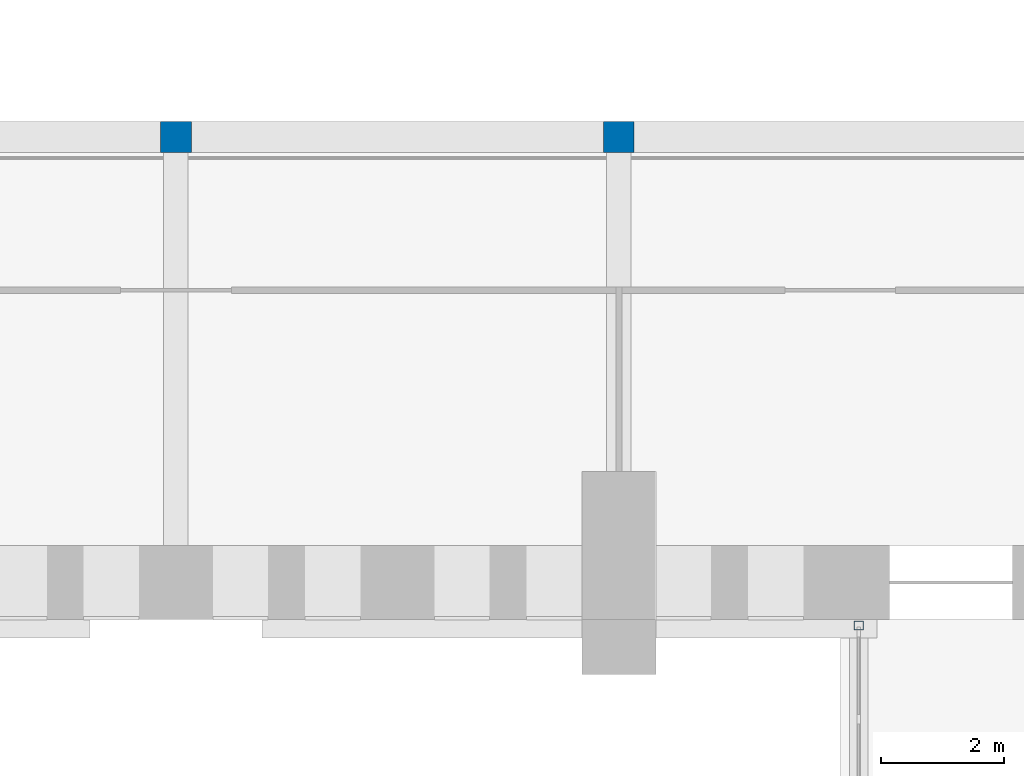
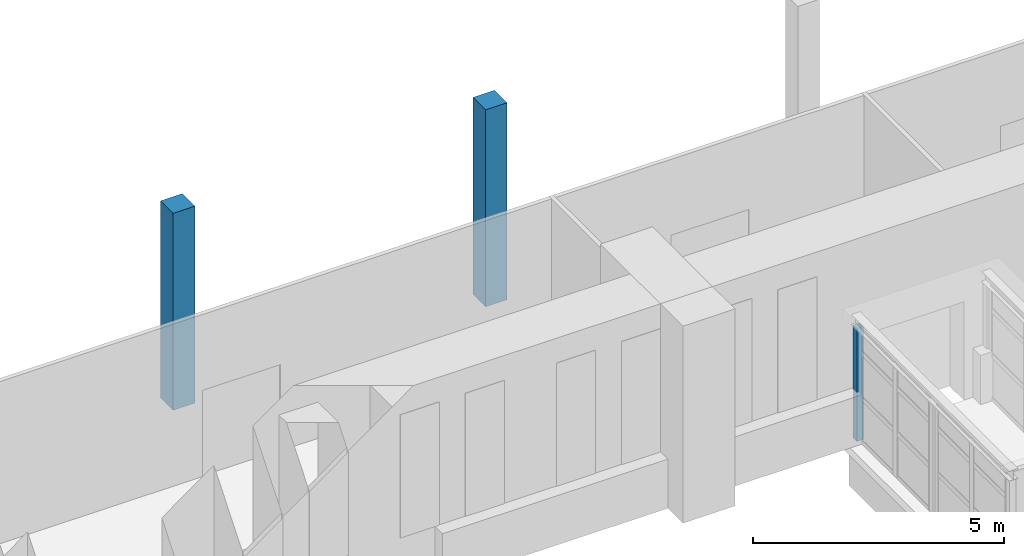
# One storey, part 10 of 131: 3 columns.
"""IFC4 building model written with IfcOpenShell, lengths in metres."""

import ifcopenshell
import ifcopenshell.guid

model = None  # the IFC model being written
_history = None  # IfcOwnerHistory: only IFC2X3 demands one
_inside = {}  # id of a spatial element -> (the spatial element, [elements in it])
_under = {}  # id of a project, library or spatial element -> (it, [spatial elements below it])
_declared = {}  # id of a project -> (the project, [libraries it declares])
_typed = {}  # id of a type object -> (the type object, [elements of that type])
_made_of = {}  # id of a material, layer set ... -> (it, [elements and type objects made of it])


def new_model(schema):
    """Start an empty IFC model of exactly this schema.

    Asked for "IFC4X3", IfcOpenShell would pick the latest addendum, in which some entities
    have other attributes; the version numbers below select the first issue.
    IFC2X3 requires an IfcOwnerHistory on every rooted entity: one is made here for all.
    """
    global model, _history
    if schema == "IFC4X3":
        model = ifcopenshell.file(schema_version=(4, 3, 0, 0))
    else:
        model = ifcopenshell.file(schema=schema)
    _inside.clear()
    _under.clear()
    _declared.clear()
    _typed.clear()
    _made_of.clear()
    _history = None
    if model.schema == "IFC2X3":
        org = make("IfcOrganization", Name="unknown")
        user = make(
            "IfcPersonAndOrganization",
            ThePerson=make("IfcPerson", FamilyName="unknown"),
            TheOrganization=org,
        )
        app = make(
            "IfcApplication",
            ApplicationDeveloper=org,
            Version="unknown",
            ApplicationFullName="unknown",
            ApplicationIdentifier="unknown",
        )
        _history = make(
            "IfcOwnerHistory",
            OwningUser=user,
            OwningApplication=app,
            ChangeAction="ADDED",
            CreationDate=0,
        )
    return model


def make(cls, **values):
    """One entity of the class cls with the attributes given. An attribute that is None is left unset."""
    return model.create_entity(
        cls, **{name: value for name, value in values.items() if value is not None}
    )


def rooted(cls, **values):
    """An entity with a GlobalId (a new one), such as an element, a storey or a relation."""
    return make(cls, GlobalId=ifcopenshell.guid.new(), OwnerHistory=_history, **values)


def si_unit(unit_type, name, prefix=None):
    """IfcSIUnit, for example si_unit("LENGTHUNIT", "METRE", prefix="MILLI")."""
    return make("IfcSIUnit", UnitType=unit_type, Prefix=prefix, Name=name)


def assignment(units):
    """IfcUnitAssignment: the units of a project."""
    return None if units is None else make("IfcUnitAssignment", Units=units)


def point(xyz):
    """IfcCartesianPoint."""
    return None if xyz is None else make("IfcCartesianPoint", Coordinates=xyz)


def direction(xyz):
    """IfcDirection."""
    return None if xyz is None else make("IfcDirection", DirectionRatios=xyz)


def frame(location, z_axis=None, x_axis=None):
    """IfcAxis2Placement3D, a coordinate frame: its origin and axes. An axis left out is left unset."""
    return make(
        "IfcAxis2Placement3D",
        Location=point(location),
        Axis=direction(z_axis),
        RefDirection=direction(x_axis),
    )


def frame_2d(location, x_axis=None):
    """IfcAxis2Placement2D, a coordinate frame in the plane: its origin and x axis."""
    return make(
        "IfcAxis2Placement2D", Location=point(location), RefDirection=direction(x_axis)
    )


def origin():
    """The frame at (0, 0, 0) with its axes left unset."""
    return frame((0.0, 0.0, 0.0))


def origin_2d():
    """The frame at (0, 0) in the plane with its x axis left unset."""
    return frame_2d((0.0, 0.0))


def place(relative_to, where):
    """IfcLocalPlacement: puts the frame where relative to a parent placement (None: the world)."""
    return make(
        "IfcLocalPlacement", PlacementRelTo=relative_to, RelativePlacement=where
    )


def context(
    kind, dimensions, precision=None, world=None, true_north=None, identifier=None
):
    """IfcGeometricRepresentationContext, for example the 3D "Model" context."""
    return make(
        "IfcGeometricRepresentationContext",
        ContextIdentifier=identifier,
        ContextType=kind,
        CoordinateSpaceDimension=dimensions,
        Precision=precision,
        WorldCoordinateSystem=world,
        TrueNorth=true_north,
    )


def subcontext(parent, identifier, kind, view, scale=None):
    """IfcGeometricRepresentationSubContext, for example "Body" below "Model"."""
    return make(
        "IfcGeometricRepresentationSubContext",
        ContextIdentifier=identifier,
        ContextType=kind,
        ParentContext=parent,
        TargetScale=scale,
        TargetView=view,
    )


def project(units=None, contexts=None):
    """IfcProject with its units and contexts."""
    return rooted(
        "IfcProject",
        Name="project",
        RepresentationContexts=contexts,
        UnitsInContext=assignment(units),
    )


def spatial(cls, under=None, at=None, **own):
    """A site, building, storey or space (cls), placed at a placement, below another one or the project."""
    s = rooted(cls, ObjectPlacement=at, **own)
    if under is not None:
        _under.setdefault(under.id(), (under, []))[1].append(s)
    return s


def profile(cls, at=None, kind="AREA", **sizes):
    """A parametric profile (cls). Its sizes go by their IFC names, for example OverallWidth=200.0."""
    return make(cls, ProfileType=kind, Position=at, **sizes)


def rectangle(**sizes):
    """IfcRectangleProfileDef."""
    return profile("IfcRectangleProfileDef", **sizes)


def hollow_rectangle(**sizes):
    """IfcRectangleHollowProfileDef."""
    return profile("IfcRectangleHollowProfileDef", **sizes)


def extrude(swept, where, along, depth):
    """IfcExtrudedAreaSolid: the profile swept, set in the frame where, extruded along a direction by depth."""
    return make(
        "IfcExtrudedAreaSolid",
        SweptArea=swept,
        Position=where,
        ExtrudedDirection=direction(along),
        Depth=depth,
    )


def shape(context_of_items, identifier, shape_type, items):
    """IfcShapeRepresentation: the items that make up one representation, for example the "Body"."""
    return make(
        "IfcShapeRepresentation",
        ContextOfItems=context_of_items,
        RepresentationIdentifier=identifier,
        RepresentationType=shape_type,
        Items=items,
    )


def material(Name=None, Category=None):
    """IfcMaterial."""
    return make("IfcMaterial", Name=Name, Category=Category)


def material_profile(
    of_material, cross_section, Name=None, Category=None, Priority=None
):
    """IfcMaterialProfile: a cross section and its material."""
    return make(
        "IfcMaterialProfile",
        Name=Name,
        Material=of_material,
        Profile=cross_section,
        Priority=Priority,
        Category=Category,
    )


def profile_set(profiles, Name=None, composite=None):
    """IfcMaterialProfileSet."""
    return make(
        "IfcMaterialProfileSet",
        Name=Name,
        MaterialProfiles=profiles,
        CompositeProfile=composite,
    )


def made_of(thing, what):
    """Note that an element or type object is made of a material, layer set ...; save() writes the relation."""
    if what is not None:
        _made_of.setdefault(what.id(), (what, []))[1].append(thing)
    return thing


def type_object(cls, material=None, **own):
    """A type object (cls), such as IfcWallType, which elements share."""
    return made_of(rooted(cls, **own), material)


def element(
    cls,
    number,
    at=None,
    inside=None,
    cuts=None,
    type_object=None,
    material=None,
    context=None,
    identifier="Body",
    shape_type=None,
    held_by="IfcProductDefinitionShape",
    body=None,
    shapes=None,
    **own,
):
    """One element of the class cls, such as IfcWall. Its Tag is "e" and its number.

    at: its placement. inside: the storey or other place that contains it. cuts: it is an
    opening in that element (IfcRelVoidsElement). A single representation is given by context,
    identifier, shape_type and body (its items); several are given by shapes. held_by: the class
    of the entity that holds the representations. save() writes the other relations.
    """
    e = rooted(cls, Tag="e%d" % number, ObjectPlacement=at, **own)
    if body is not None:
        shapes = [shape(context, identifier, shape_type, body)]
    if shapes is not None:
        e.Representation = make(held_by, Representations=shapes)
    if inside is not None:
        _inside.setdefault(inside.id(), (inside, []))[1].append(e)
    if cuts is not None:
        rooted(
            "IfcRelVoidsElement", RelatingBuildingElement=cuts, RelatedOpeningElement=e
        )
    if type_object is not None:
        _typed.setdefault(type_object.id(), (type_object, []))[1].append(e)
    return made_of(e, material)


def aggregate(whole, parts):
    """IfcRelAggregates: a whole, such as a stair, and the parts it consists of."""
    return rooted("IfcRelAggregates", RelatingObject=whole, RelatedObjects=parts)


def save(model, path):
    """Write the relations noted so far, then the file.

    IfcRelAggregates (storeys below a building ...), IfcRelContainedInSpatialStructure (elements
    in a storey), IfcRelDefinesByType, IfcRelAssociatesMaterial and IfcRelDeclares: one each for
    every whole, place, type object, material and project.
    """
    for whole, parts in _under.values():
        aggregate(whole, parts)
    for where, things in _inside.values():
        rooted(
            "IfcRelContainedInSpatialStructure",
            RelatedElements=things,
            RelatingStructure=where,
        )
    for kind, things in _typed.values():
        rooted("IfcRelDefinesByType", RelatedObjects=things, RelatingType=kind)
    for what, things in _made_of.values():
        rooted("IfcRelAssociatesMaterial", RelatedObjects=things, RelatingMaterial=what)
    for by, libraries in _declared.values():
        rooted("IfcRelDeclares", RelatingContext=by, RelatedDefinitions=libraries)
    model.write(path)


model = new_model("IFC4")

# Units and contexts
model_context = context("Model", 3, precision=1e-05, world=origin(), true_north=direction((0.0, 1.0)))
body_context = subcontext(model_context, "Body", "Model", "MODEL_VIEW")
ifc_project = project(units=[si_unit("LENGTHUNIT", "METRE"), si_unit("AREAUNIT", "SQUARE_METRE"), si_unit("VOLUMEUNIT", "CUBIC_METRE"), si_unit("PLANEANGLEUNIT", "RADIAN"), si_unit("MASSUNIT", "GRAM", prefix="KILO")], contexts=[model_context])

# Site, building, storey
site_placement = place(None, origin())
site = spatial("IfcSite", under=ifc_project, at=site_placement, CompositionType="ELEMENT")
building_placement = place(site_placement, origin())
building = spatial("IfcBuilding", under=site, at=building_placement, Name="Alderwick Market Hall", CompositionType="ELEMENT")
storey_placement = place(building_placement, frame((0.0, 0.0, 4.800048828125)))
storey = spatial("IfcBuildingStorey", under=building, at=storey_placement, Name="L00", CompositionType="ELEMENT", Elevation=4.800048828125)

# Columns
ifc_material_1 = material(Name="Concrete 5000 psi (f'c 35 MPa)", Category="concrete")
ifc_material_profile_1 = material_profile(ifc_material_1, rectangle(XDim=0.5, YDim=0.5, at=origin_2d()), Name="RC 500x500")
ifc_profile_set_1 = profile_set([ifc_material_profile_1], Name="Concrete 5000 psi (f'c 35 MPa)")
column_type_1 = type_object("IfcColumnType", Name="H Column 500x500", PredefinedType="COLUMN", material=ifc_profile_set_1)
for number, where, z_axis, x_axis, name in (
    (1, (115.199951171875, 57.639892578125, 0.0), (0.0, 0.0, 1.0), (1.0, 0.0, 0.0), "Gallery column S15"),
    (2, (122.39990234375, 57.639892578125, 0.0), (0.0, 0.0, 1.0), (1.0, 0.0, 0.0), "Gallery column S17"),
):
    element("IfcColumn", number, at=place(storey_placement, frame(where, z_axis=z_axis, x_axis=x_axis)), inside=storey, type_object=column_type_1, Name=name, PredefinedType="COLUMN", context=body_context, shape_type="SweptSolid", body=[
        extrude(rectangle(XDim=0.5, YDim=0.5, at=origin_2d()), origin(), (0.0, 0.0, 1.0), 4.800048828125),
    ])
ifc_material_2 = material(Name="Steel ASTM A500 Grade C", Category="steel")
ifc_material_profile_2 = material_profile(ifc_material_2, hollow_rectangle(XDim=0.152099609375, YDim=0.152099609375, WallThickness=0.009521484375, at=origin_2d()), Name="HSS152x152x9.5")
ifc_profile_set_2 = profile_set([ifc_material_profile_2], Name="Steel ASTM A500 Grade C")
column_type_2 = type_object("IfcColumnType", Name="P HSS Column 152x152x9.5", PredefinedType="COLUMN", material=ifc_profile_set_2)
column_placement = place(storey_placement, frame((126.300048828125, 49.699951171875, 0.0), z_axis=(0.0, 0.0, 1.0), x_axis=(1.0, 0.0, 0.0)))
element("IfcColumn", 3, at=column_placement, inside=storey, type_object=column_type_2, Name="P.P4.col.a2", PredefinedType="COLUMN", context=body_context, shape_type="SweptSolid", body=[
    extrude(hollow_rectangle(XDim=0.152099609375, YDim=0.152099609375, WallThickness=0.009521484375, at=origin_2d()), origin(), (0.0, 0.0, 1.0), 2.7529296875),
])

save(model, "model.ifc")
